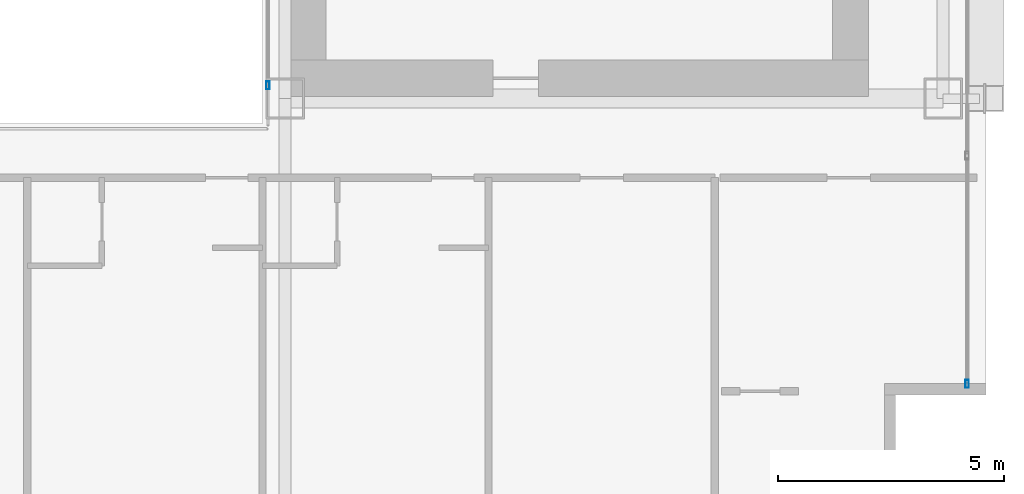
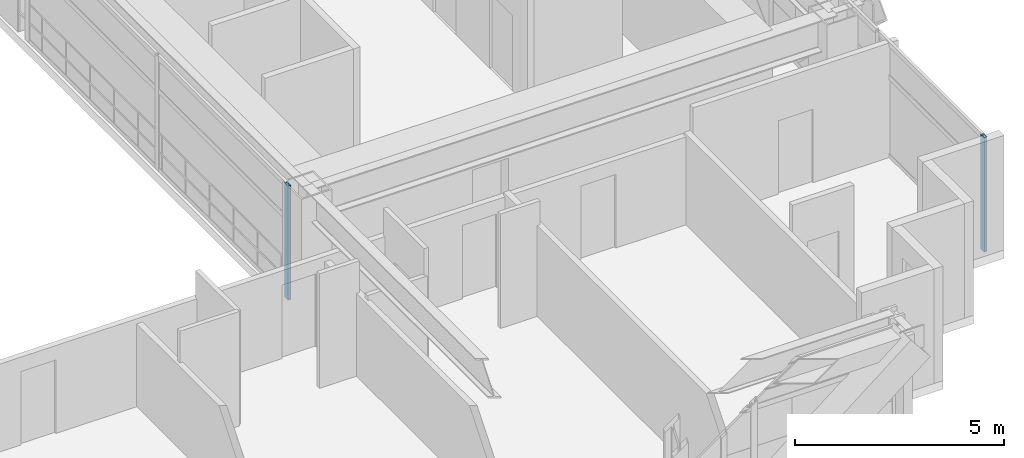
# One storey, part 12 of 41: 2 members, 2 elements without a shape of their own.
"""IFC4 building model written with IfcOpenShell, lengths in metres."""

from ifc_helpers import new_model, si_unit, direction, frame, origin, origin_2d, place, context, subcontext, project, spatial, hollow_rectangle, extrude, source, transform, mapped, material, layer, layer_set, material_profile, profile_set, type_object, element, aggregate, save


model = new_model("IFC4")

# Units and contexts
model_context = context("Model", 3, precision=1e-05, world=origin(), true_north=direction((0.0, 1.0)))
body_context = subcontext(model_context, "Body", "Model", "MODEL_VIEW")
ifc_project = project(units=[si_unit("LENGTHUNIT", "METRE"), si_unit("AREAUNIT", "SQUARE_METRE"), si_unit("VOLUMEUNIT", "CUBIC_METRE"), si_unit("PLANEANGLEUNIT", "RADIAN"), si_unit("MASSUNIT", "GRAM", prefix="KILO")], contexts=[model_context])

# Site, building, storey
site_placement = place(None, origin())
site = spatial("IfcSite", under=ifc_project, at=site_placement, CompositionType="ELEMENT")
building_placement = place(site_placement, origin())
building = spatial("IfcBuilding", under=site, at=building_placement, Name="Ocotamira Hotel", CompositionType="ELEMENT")
storey_placement = place(building_placement, frame((0.0, 0.0, 67.199951171875)))
storey = spatial("IfcBuildingStorey", under=building, at=storey_placement, Name="L16", CompositionType="ELEMENT", Elevation=67.199951171875)

# Curtain wall, member
ifc_material_1 = material(Name="Anodised pale-metal aluminium and solar glass", Category="aluminium")
ifc_layer_1 = layer(ifc_material_1, 0.179931640625)
ifc_layer_set_1 = layer_set([ifc_layer_1], Name="Anodised pale-metal aluminium and solar glass")
curtain_wall_type_1 = type_object("IfcCurtainWallType", Name="CW-SYS2-Z1", PredefinedType="NOTDEFINED", material=ifc_layer_set_1)
curtain_wall_1_placement = place(storey_placement, origin())
curtain_wall_1 = element("IfcCurtainWall", 1, at=curtain_wall_1_placement, inside=storey, type_object=curtain_wall_type_1, Name="L16 Curtain Wall CW-2 CW-L16-E", PredefinedType="NOTDEFINED")
ifc_material_2 = material(Name="Anodised pale-metal aluminium 6063-T6", Category="aluminium")
ifc_material_profile = material_profile(ifc_material_2, hollow_rectangle(XDim=0.080078125, YDim=0.179931640625, WallThickness=0.006103515625, at=origin_2d()), Name="HSS180X80X6")
ifc_profile_set = profile_set([ifc_material_profile], Name="Anodised pale-metal aluminium 6063-T6")
member_type = type_object("IfcMemberType", Name="CWM-180X75", PredefinedType="MULLION", material=ifc_profile_set)
shared_shape = source(origin(), body_context, "Body", "SweptSolid", [
    extrude(hollow_rectangle(XDim=0.080078125, YDim=0.179931640625, WallThickness=0.006103515625, at=origin_2d()), origin(), (0.0, 0.0, 1.0), 3.35009765625),
])
member_1_placement = place(storey_placement, frame((55.580078125, 8.239990234375, 0.0), z_axis=(0.0, 0.0, 1.0), x_axis=(-1.0, 0.0, 0.0)))
member_1 = element("IfcMember", 2, at=member_1_placement, type_object=member_type, Name="CW-2 mullion 1", PredefinedType="MULLION", context=body_context, shape_type="MappedRepresentation", body=[
    mapped(shared_shape, transform((0.0, 0.0, 0.0), scale=1.0)),
])
aggregate(curtain_wall_1, [member_1])

ifc_layer_2 = layer(ifc_material_1, 0.159912109375)
ifc_layer_set_2 = layer_set([ifc_layer_2], Name="Anodised pale-metal aluminium and solar glass")
curtain_wall_type_2 = type_object("IfcCurtainWallType", Name="CW-SYS6-ATR", PredefinedType="NOTDEFINED", material=ifc_layer_set_2)
curtain_wall_2_placement = place(storey_placement, origin())
curtain_wall_2 = element("IfcCurtainWall", 3, at=curtain_wall_2_placement, inside=storey, type_object=curtain_wall_type_2, Name="L16 Curtain Wall CW-6 CW-L16-ATRE1", PredefinedType="NOTDEFINED")
member_2_placement = place(storey_placement, frame((40.1201171875, 14.840087890625, 0.0), z_axis=(0.0, 0.0, 1.0), x_axis=(-1.0, 0.0, 0.0)))
member_2 = element("IfcMember", 4, at=member_2_placement, type_object=member_type, Name="CW-6 mullion 1", PredefinedType="MULLION", context=body_context, shape_type="MappedRepresentation", body=[
    mapped(shared_shape, transform((0.0, 0.0, 0.0), scale=1.0)),
])
aggregate(curtain_wall_2, [member_2])

save(model, "model.ifc")
